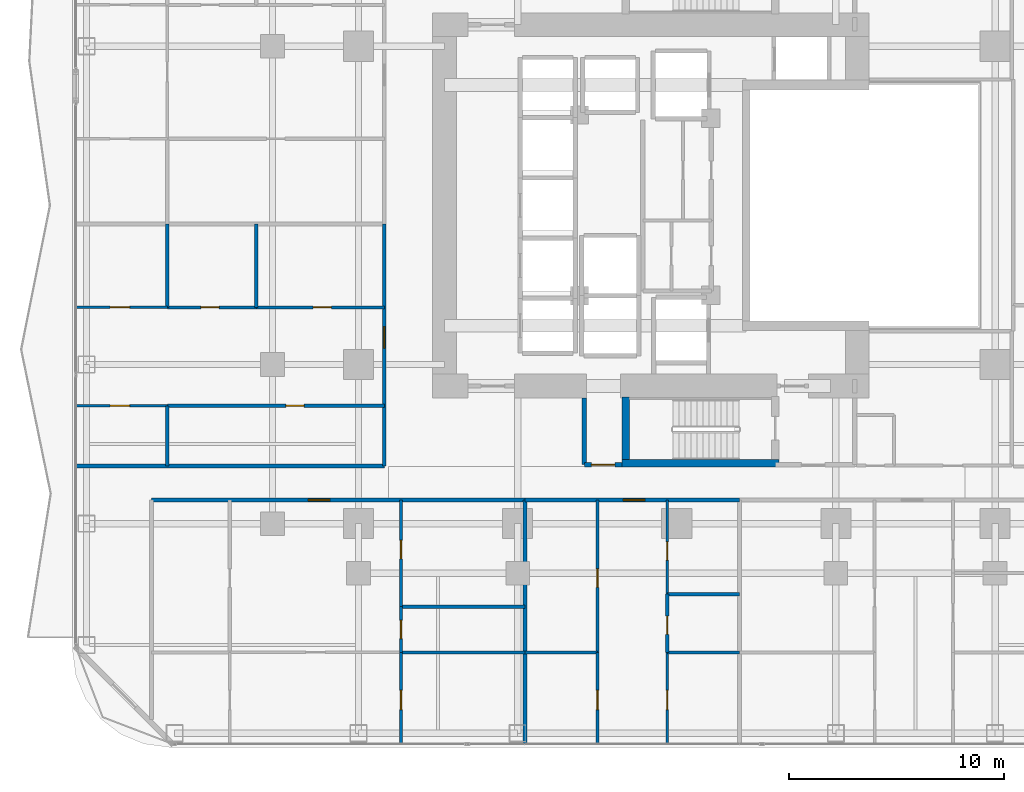
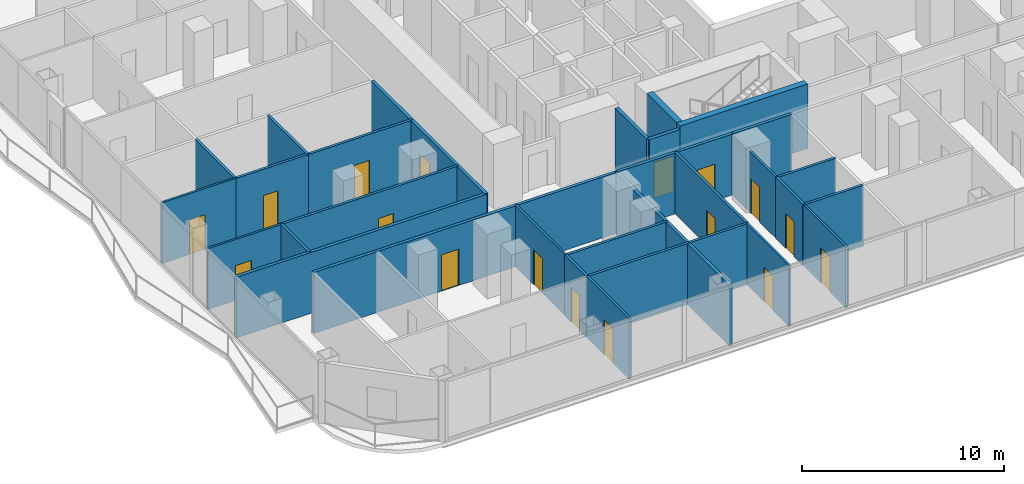
# One storey, part 19 of 29: 30 walls, 17 doors, 17 openings.
"""IFC4 building model written with IfcOpenShell, lengths in metres."""

import ifcopenshell
import ifcopenshell.guid

model = None  # the IFC model being written
_history = None  # IfcOwnerHistory: only IFC2X3 demands one
_inside = {}  # id of a spatial element -> (the spatial element, [elements in it])
_under = {}  # id of a project, library or spatial element -> (it, [spatial elements below it])
_declared = {}  # id of a project -> (the project, [libraries it declares])
_typed = {}  # id of a type object -> (the type object, [elements of that type])
_made_of = {}  # id of a material, layer set ... -> (it, [elements and type objects made of it])


def new_model(schema):
    """Start an empty IFC model of exactly this schema.

    Asked for "IFC4X3", IfcOpenShell would pick the latest addendum, in which some entities
    have other attributes; the version numbers below select the first issue.
    IFC2X3 requires an IfcOwnerHistory on every rooted entity: one is made here for all.
    """
    global model, _history
    if schema == "IFC4X3":
        model = ifcopenshell.file(schema_version=(4, 3, 0, 0))
    else:
        model = ifcopenshell.file(schema=schema)
    _inside.clear()
    _under.clear()
    _declared.clear()
    _typed.clear()
    _made_of.clear()
    _history = None
    if model.schema == "IFC2X3":
        org = make("IfcOrganization", Name="unknown")
        user = make(
            "IfcPersonAndOrganization",
            ThePerson=make("IfcPerson", FamilyName="unknown"),
            TheOrganization=org,
        )
        app = make(
            "IfcApplication",
            ApplicationDeveloper=org,
            Version="unknown",
            ApplicationFullName="unknown",
            ApplicationIdentifier="unknown",
        )
        _history = make(
            "IfcOwnerHistory",
            OwningUser=user,
            OwningApplication=app,
            ChangeAction="ADDED",
            CreationDate=0,
        )
    return model


def make(cls, **values):
    """One entity of the class cls with the attributes given. An attribute that is None is left unset."""
    return model.create_entity(
        cls, **{name: value for name, value in values.items() if value is not None}
    )


def rooted(cls, **values):
    """An entity with a GlobalId (a new one), such as an element, a storey or a relation."""
    return make(cls, GlobalId=ifcopenshell.guid.new(), OwnerHistory=_history, **values)


def si_unit(unit_type, name, prefix=None):
    """IfcSIUnit, for example si_unit("LENGTHUNIT", "METRE", prefix="MILLI")."""
    return make("IfcSIUnit", UnitType=unit_type, Prefix=prefix, Name=name)


def assignment(units):
    """IfcUnitAssignment: the units of a project."""
    return None if units is None else make("IfcUnitAssignment", Units=units)


def point(xyz):
    """IfcCartesianPoint."""
    return None if xyz is None else make("IfcCartesianPoint", Coordinates=xyz)


def direction(xyz):
    """IfcDirection."""
    return None if xyz is None else make("IfcDirection", DirectionRatios=xyz)


def frame(location, z_axis=None, x_axis=None):
    """IfcAxis2Placement3D, a coordinate frame: its origin and axes. An axis left out is left unset."""
    return make(
        "IfcAxis2Placement3D",
        Location=point(location),
        Axis=direction(z_axis),
        RefDirection=direction(x_axis),
    )


def frame_2d(location, x_axis=None):
    """IfcAxis2Placement2D, a coordinate frame in the plane: its origin and x axis."""
    return make(
        "IfcAxis2Placement2D", Location=point(location), RefDirection=direction(x_axis)
    )


def origin():
    """The frame at (0, 0, 0) with its axes left unset."""
    return frame((0.0, 0.0, 0.0))


def place(relative_to, where):
    """IfcLocalPlacement: puts the frame where relative to a parent placement (None: the world)."""
    return make(
        "IfcLocalPlacement", PlacementRelTo=relative_to, RelativePlacement=where
    )


def context(
    kind, dimensions, precision=None, world=None, true_north=None, identifier=None
):
    """IfcGeometricRepresentationContext, for example the 3D "Model" context."""
    return make(
        "IfcGeometricRepresentationContext",
        ContextIdentifier=identifier,
        ContextType=kind,
        CoordinateSpaceDimension=dimensions,
        Precision=precision,
        WorldCoordinateSystem=world,
        TrueNorth=true_north,
    )


def subcontext(parent, identifier, kind, view, scale=None):
    """IfcGeometricRepresentationSubContext, for example "Body" below "Model"."""
    return make(
        "IfcGeometricRepresentationSubContext",
        ContextIdentifier=identifier,
        ContextType=kind,
        ParentContext=parent,
        TargetScale=scale,
        TargetView=view,
    )


def project(units=None, contexts=None):
    """IfcProject with its units and contexts."""
    return rooted(
        "IfcProject",
        Name="project",
        RepresentationContexts=contexts,
        UnitsInContext=assignment(units),
    )


def spatial(cls, under=None, at=None, **own):
    """A site, building, storey or space (cls), placed at a placement, below another one or the project."""
    s = rooted(cls, ObjectPlacement=at, **own)
    if under is not None:
        _under.setdefault(under.id(), (under, []))[1].append(s)
    return s


def profile(cls, at=None, kind="AREA", **sizes):
    """A parametric profile (cls). Its sizes go by their IFC names, for example OverallWidth=200.0."""
    return make(cls, ProfileType=kind, Position=at, **sizes)


def rectangle(**sizes):
    """IfcRectangleProfileDef."""
    return profile("IfcRectangleProfileDef", **sizes)


def extrude(swept, where, along, depth):
    """IfcExtrudedAreaSolid: the profile swept, set in the frame where, extruded along a direction by depth."""
    return make(
        "IfcExtrudedAreaSolid",
        SweptArea=swept,
        Position=where,
        ExtrudedDirection=direction(along),
        Depth=depth,
    )


def shape(context_of_items, identifier, shape_type, items):
    """IfcShapeRepresentation: the items that make up one representation, for example the "Body"."""
    return make(
        "IfcShapeRepresentation",
        ContextOfItems=context_of_items,
        RepresentationIdentifier=identifier,
        RepresentationType=shape_type,
        Items=items,
    )


def material(Name=None, Category=None):
    """IfcMaterial."""
    return make("IfcMaterial", Name=Name, Category=Category)


def layer(
    of_material, thickness, ventilated=None, Name=None, Category=None, Priority=None
):
    """IfcMaterialLayer: one layer of a wall or slab, of a material (None: an air gap)."""
    return make(
        "IfcMaterialLayer",
        Material=of_material,
        LayerThickness=thickness,
        IsVentilated=ventilated,
        Name=Name,
        Category=Category,
        Priority=Priority,
    )


def layer_set(layers, Name=None):
    """IfcMaterialLayerSet."""
    return make("IfcMaterialLayerSet", MaterialLayers=layers, LayerSetName=Name)


def made_of(thing, what):
    """Note that an element or type object is made of a material, layer set ...; save() writes the relation."""
    if what is not None:
        _made_of.setdefault(what.id(), (what, []))[1].append(thing)
    return thing


def type_object(cls, material=None, **own):
    """A type object (cls), such as IfcWallType, which elements share."""
    return made_of(rooted(cls, **own), material)


def element(
    cls,
    number,
    at=None,
    inside=None,
    cuts=None,
    type_object=None,
    material=None,
    context=None,
    identifier="Body",
    shape_type=None,
    held_by="IfcProductDefinitionShape",
    body=None,
    shapes=None,
    **own,
):
    """One element of the class cls, such as IfcWall. Its Tag is "e" and its number.

    at: its placement. inside: the storey or other place that contains it. cuts: it is an
    opening in that element (IfcRelVoidsElement). A single representation is given by context,
    identifier, shape_type and body (its items); several are given by shapes. held_by: the class
    of the entity that holds the representations. save() writes the other relations.
    """
    e = rooted(cls, Tag="e%d" % number, ObjectPlacement=at, **own)
    if body is not None:
        shapes = [shape(context, identifier, shape_type, body)]
    if shapes is not None:
        e.Representation = make(held_by, Representations=shapes)
    if inside is not None:
        _inside.setdefault(inside.id(), (inside, []))[1].append(e)
    if cuts is not None:
        rooted(
            "IfcRelVoidsElement", RelatingBuildingElement=cuts, RelatedOpeningElement=e
        )
    if type_object is not None:
        _typed.setdefault(type_object.id(), (type_object, []))[1].append(e)
    return made_of(e, material)


def fill(opening, filler):
    """IfcRelFillsElement: the door or window that sits in an opening."""
    return rooted(
        "IfcRelFillsElement",
        RelatingOpeningElement=opening,
        RelatedBuildingElement=filler,
    )


def aggregate(whole, parts):
    """IfcRelAggregates: a whole, such as a stair, and the parts it consists of."""
    return rooted("IfcRelAggregates", RelatingObject=whole, RelatedObjects=parts)


def save(model, path):
    """Write the relations noted so far, then the file.

    IfcRelAggregates (storeys below a building ...), IfcRelContainedInSpatialStructure (elements
    in a storey), IfcRelDefinesByType, IfcRelAssociatesMaterial and IfcRelDeclares: one each for
    every whole, place, type object, material and project.
    """
    for whole, parts in _under.values():
        aggregate(whole, parts)
    for where, things in _inside.values():
        rooted(
            "IfcRelContainedInSpatialStructure",
            RelatedElements=things,
            RelatingStructure=where,
        )
    for kind, things in _typed.values():
        rooted("IfcRelDefinesByType", RelatedObjects=things, RelatingType=kind)
    for what, things in _made_of.values():
        rooted("IfcRelAssociatesMaterial", RelatedObjects=things, RelatingMaterial=what)
    for by, libraries in _declared.values():
        rooted("IfcRelDeclares", RelatingContext=by, RelatedDefinitions=libraries)
    model.write(path)


model = new_model("IFC4")

# Units and contexts
model_context = context("Model", 3, precision=1e-05, world=origin(), true_north=direction((0.0, 1.0)))
body_context = subcontext(model_context, "Body", "Model", "MODEL_VIEW")
ifc_project = project(units=[si_unit("LENGTHUNIT", "METRE"), si_unit("AREAUNIT", "SQUARE_METRE"), si_unit("VOLUMEUNIT", "CUBIC_METRE"), si_unit("PLANEANGLEUNIT", "RADIAN"), si_unit("MASSUNIT", "GRAM", prefix="KILO")], contexts=[model_context])

# Site, building, storey
site_placement = place(None, origin())
site = spatial("IfcSite", under=ifc_project, at=site_placement, CompositionType="ELEMENT")
building_placement = place(site_placement, origin())
building = spatial("IfcBuilding", under=site, at=building_placement, Name="Khorvyn Point Tower", CompositionType="ELEMENT")
storey_placement = place(building_placement, frame((0.0, 0.0, 69.60009765625)))
storey = spatial("IfcBuildingStorey", under=building, at=storey_placement, Name="L18", CompositionType="ELEMENT", Elevation=69.60009765625)

# Wall, opening, door
ifc_material_1 = material(Name="Double acoustic gypsum on twin steel stud", Category="steel")
ifc_layer_1 = layer(ifc_material_1, 0.179931640625)
ifc_layer_set_1 = layer_set([ifc_layer_1], Name="Acoustic Double-Stud Apartment Demising Wall 180")
wall_type_1 = type_object("IfcWallType", Name="Acoustic Double-Stud Apartment Demising Wall 180", PredefinedType="PARTITIONING", material=ifc_layer_set_1)
wall_1_placement = place(storey_placement, frame((-24.419921875, -13.699951171875, 0.0), z_axis=(0.0, 0.0, 1.0), x_axis=(1.0, 0.0, 0.0)))
wall_1 = element("IfcWall", 1, at=wall_1_placement, inside=storey, type_object=wall_type_1, Name="Wall", PredefinedType="PARTITIONING", context=body_context, shape_type="SweptSolid", body=[
    extrude(rectangle(XDim=17.35888671875, YDim=0.179931640625, at=frame_2d((8.679443359375, 0.0))), origin(), (0.0, 0.0, 1.0), 3.679931640625),
])
opening_1_placement = place(wall_1_placement, frame((7.288330078125, 0.0, 0.0)))
opening_1 = element("IfcOpeningElement", 2, at=opening_1_placement, cuts=wall_1, Name="Opening ID-AP60", PredefinedType="OPENING", context=body_context, shape_type="SweptSolid", body=[
    extrude(rectangle(XDim=1.0, YDim=2.199951171875, at=frame_2d((0.5, 1.10009765625))), frame((0.0, 0.099853515625, 0.0), z_axis=(0.0, -1.0, 0.0), x_axis=(1.0, 0.0, 0.0)), (0.0, 0.0, 1.0), 0.199951171875),
])
ifc_material_2 = material(Name="Engineered hardwood fire-rated leaf", Category="wood")
door_type_1 = type_object("IfcDoorType", Name="Acoustic Solid-Core Timber Apartment Entrance Door 1000x2200", OperationType="NOTDEFINED", PredefinedType="DOOR", material=ifc_material_2)
door_1_placement = place(opening_1_placement, origin())
door_1 = element("IfcDoor", 3, at=door_1_placement, inside=storey, type_object=door_type_1, Name="Door", OperationType="SINGLE_SWING_LEFT", OverallHeight=2.199951171875, OverallWidth=1.0, PredefinedType="DOOR", context=body_context, shape_type="SweptSolid", body=[
    extrude(rectangle(XDim=1.0, YDim=2.199951171875, at=frame_2d((0.5, 1.10009765625))), frame((0.0, 0.02490234375, 0.0), z_axis=(0.0, -1.0, 0.0), x_axis=(1.0, 0.0, 0.0)), (0.0, 0.0, 1.0), 0.050048828125),
])
fill(opening_1, door_1)

wall_2_placement = place(storey_placement, frame((-7.06103515625, -13.699951171875, 0.0), z_axis=(0.0, 0.0, 1.0), x_axis=(1.0, 0.0, 0.0)))
wall_2 = element("IfcWall", 4, at=wall_2_placement, inside=storey, type_object=wall_type_1, Name="Wall", PredefinedType="PARTITIONING", context=body_context, shape_type="SweptSolid", body=[
    extrude(rectangle(XDim=9.97900390625, YDim=0.179931640625, at=frame_2d((4.989501953125, 0.0))), origin(), (0.0, 0.0, 1.0), 3.679931640625),
])
opening_2_placement = place(wall_2_placement, frame((4.577880859375, 0.0, 0.0)))
opening_2 = element("IfcOpeningElement", 5, at=opening_2_placement, cuts=wall_2, Name="Opening ID-AP60", PredefinedType="OPENING", context=body_context, shape_type="SweptSolid", body=[
    extrude(rectangle(XDim=1.0, YDim=2.199951171875, at=frame_2d((0.5, 1.10009765625))), frame((0.0, 0.099853515625, 0.0), z_axis=(0.0, -1.0, 0.0), x_axis=(1.0, 0.0, 0.0)), (0.0, 0.0, 1.0), 0.199951171875),
])
door_2_placement = place(opening_2_placement, origin())
door_2 = element("IfcDoor", 6, at=door_2_placement, inside=storey, type_object=door_type_1, Name="Door", OperationType="SINGLE_SWING_RIGHT", OverallHeight=2.199951171875, OverallWidth=1.0, PredefinedType="DOOR", context=body_context, shape_type="SweptSolid", body=[
    extrude(rectangle(XDim=1.0, YDim=2.199951171875, at=frame_2d((0.5, 1.10009765625))), frame((0.0, 0.02490234375, 0.0), z_axis=(0.0, -1.0, 0.0), x_axis=(1.0, 0.0, 0.0)), (0.0, 0.0, 1.0), 0.050048828125),
])
fill(opening_2, door_2)

wall_3_placement = place(storey_placement, frame((-13.60009765625, -12.1201171875, 0.0), z_axis=(0.0, 0.0, 1.0), x_axis=(0.0, 1.0, 0.0)))
wall_3 = element("IfcWall", 7, at=wall_3_placement, inside=storey, type_object=wall_type_1, Name="Wall", PredefinedType="PARTITIONING", context=body_context, shape_type="SweptSolid", body=[
    extrude(rectangle(XDim=11.2470703125, YDim=0.179931640625, at=frame_2d((5.62353515625, 0.0))), origin(), (0.0, 0.0, 1.0), 3.679931640625),
])
opening_3_placement = place(wall_3_placement, frame((5.47802734375, 0.0, 0.0)))
opening_3 = element("IfcOpeningElement", 8, at=opening_3_placement, cuts=wall_3, Name="Opening ID-AP60", PredefinedType="OPENING", context=body_context, shape_type="SweptSolid", body=[
    extrude(rectangle(XDim=1.0, YDim=2.199951171875, at=frame_2d((0.5, 1.10009765625))), frame((0.0, 0.099853515625, 0.0), z_axis=(0.0, -1.0, 0.0), x_axis=(1.0, 0.0, 0.0)), (0.0, 0.0, 1.0), 0.199951171875),
])
door_3_placement = place(opening_3_placement, origin())
door_3 = element("IfcDoor", 9, at=door_3_placement, inside=storey, type_object=door_type_1, Name="Door", OperationType="SINGLE_SWING_RIGHT", OverallHeight=2.199951171875, OverallWidth=1.0, PredefinedType="DOOR", context=body_context, shape_type="SweptSolid", body=[
    extrude(rectangle(XDim=1.0, YDim=2.199951171875, at=frame_2d((0.5, 1.10009765625))), frame((0.0, 0.02490234375, 0.0), z_axis=(0.0, -1.0, 0.0), x_axis=(1.0, 0.0, 0.0)), (0.0, 0.0, 1.0), 0.050048828125),
])
fill(opening_3, door_3)

# Walls
wall_4_placement = place(storey_placement, frame((-7.06103515625, -25.030029296875, 0.0), z_axis=(0.0, 0.0, 1.0), x_axis=(0.0, 1.0, 0.0)))
element("IfcWall", 10, at=wall_4_placement, inside=storey, type_object=wall_type_1, Name="Wall", PredefinedType="PARTITIONING", context=body_context, shape_type="SweptSolid", body=[
    extrude(rectangle(XDim=11.330078125, YDim=0.179931640625, at=frame_2d((5.6650390625, 0.0))), origin(), (0.0, 0.0, 1.0), 3.679931640625),
])
wall_5_placement = place(storey_placement, frame((-27.929931640625, -12.1201171875, 0.0), z_axis=(0.0, 0.0, 1.0), x_axis=(1.0, 0.0, 0.0)))
element("IfcWall", 11, at=wall_5_placement, inside=storey, type_object=wall_type_1, Name="Wall", PredefinedType="PARTITIONING", context=body_context, shape_type="SweptSolid", body=[
    extrude(rectangle(XDim=14.329833984375, YDim=0.179931640625, at=frame_2d((7.1650390625, 0.0))), origin(), (0.0, 0.0, 1.0), 3.679931640625),
])

# Wall, opening, door
ifc_material_3 = material(Name="Concrete C40/50", Category="concrete")
ifc_layer_2 = layer(ifc_material_3, 0.199951171875)
ifc_layer_set_2 = layer_set([ifc_layer_2], Name="Concrete C40/50 Fire-Lobby Compartment Wall 200")
wall_type_2 = type_object("IfcWallType", Name="Concrete C40/50 Fire-Lobby Compartment Wall 200", PredefinedType="SOLIDWALL", material=ifc_layer_set_2)
wall_6_placement = place(storey_placement, frame((-4.300048828125, -12.06005859375, 0.0), z_axis=(0.0, 0.0, 1.0), x_axis=(1.0, 0.0, 0.0)))
wall_6 = element("IfcWall", 12, at=wall_6_placement, inside=storey, type_object=wall_type_2, Name="Wall", PredefinedType="SOLIDWALL", context=body_context, shape_type="SweptSolid", body=[
    extrude(rectangle(XDim=1.75, YDim=0.199951171875, at=frame_2d((0.875, 0.0))), origin(), (0.0, 0.0, 1.0), 3.679931640625),
])
opening_4_placement = place(wall_6_placement, frame((0.324951171875, 0.0, 0.0)))
opening_4 = element("IfcOpeningElement", 13, at=opening_4_placement, cuts=wall_6, Name="Opening ID-FL90", PredefinedType="OPENING", context=body_context, shape_type="SweptSolid", body=[
    extrude(rectangle(XDim=1.10009765625, YDim=2.14990234375, at=frame_2d((0.550048828125, 1.074951171875))), frame((0.0, 0.10986328125, 0.0), z_axis=(0.0, -1.0, 0.0), x_axis=(1.0, 0.0, 0.0)), (0.0, 0.0, 1.0), 0.219970703125),
])
ifc_material_4 = material(Name="Galvanised powder-coated steel", Category="steel")
door_type_2 = type_object("IfcDoorType", Name="Fire-Rated Steel Lobby and Stair Door 1100x2150", OperationType="NOTDEFINED", PredefinedType="DOOR", material=ifc_material_4)
door_4_placement = place(opening_4_placement, origin())
door_4 = element("IfcDoor", 14, at=door_4_placement, inside=storey, type_object=door_type_2, Name="Door", OperationType="SINGLE_SWING_RIGHT", OverallHeight=2.14990234375, OverallWidth=1.10009765625, PredefinedType="DOOR", context=body_context, shape_type="SweptSolid", body=[
    extrude(rectangle(XDim=1.10009765625, YDim=2.14990234375, at=frame_2d((0.550048828125, 1.074951171875))), frame((0.0, 0.02490234375, 0.0), z_axis=(0.0, -1.0, 0.0), x_axis=(1.0, 0.0, 0.0)), (0.0, 0.0, 1.0), 0.050048828125),
])
fill(opening_4, door_4)

# Walls
wall_7_placement = place(storey_placement, frame((-4.300048828125, -12.06005859375, 0.0), z_axis=(0.0, 0.0, 1.0), x_axis=(0.0, 1.0, 0.0)))
element("IfcWall", 15, at=wall_7_placement, inside=storey, type_object=wall_type_2, Name="Wall", PredefinedType="SOLIDWALL", context=body_context, shape_type="SweptSolid", body=[
    extrude(rectangle(XDim=3.110107421875, YDim=0.199951171875, at=frame_2d((1.55517578125, 0.0))), origin(), (0.0, 0.0, 1.0), 3.679931640625),
])
ifc_layer_3 = layer(ifc_material_3, 0.35009765625)
ifc_layer_set_3 = layer_set([ifc_layer_3], Name="Concrete C40/50 Stair Shaft Structural Wall 350")
wall_type_3 = type_object("IfcWallType", Name="Concrete C40/50 Stair Shaft Structural Wall 350", PredefinedType="SHEAR", material=ifc_layer_set_3)
wall_8_placement = place(storey_placement, frame((-2.554931640625, -12.0, 0.0), z_axis=(0.0, 0.0, 1.0), x_axis=(1.0, 0.0, 0.0)))
element("IfcWall", 16, at=wall_8_placement, inside=storey, type_object=wall_type_3, Name="L18 ST-01 South Shaft Wall", PredefinedType="SHEAR", context=body_context, shape_type="SweptSolid", body=[
    extrude(rectangle(XDim=7.309814453125, YDim=0.35009765625, at=frame_2d((3.65478515625, 0.0))), origin(), (0.0, 0.0, 1.0), 3.89990234375),
])
wall_9_placement = place(storey_placement, frame((-2.3798828125, -11.824951171875, 0.0), z_axis=(0.0, 0.0, 1.0), x_axis=(0.0, 1.0, 0.0)))
element("IfcWall", 17, at=wall_9_placement, inside=storey, type_object=wall_type_3, Name="L18 ST-01 West Shaft Wall", PredefinedType="SHEAR", context=body_context, shape_type="SweptSolid", body=[
    extrude(rectangle(XDim=2.925048828125, YDim=0.35009765625, at=frame_2d((1.46240234375, 0.0))), origin(), (0.0, 0.0, 1.0), 3.89990234375),
])

# Wall, opening, door
ifc_material_5 = material(Name="Gypsum plasterboard on steel stud", Category="steel")
ifc_layer_4 = layer(ifc_material_5, 0.1201171875)
ifc_layer_set_4 = layer_set([ifc_layer_4], Name="Gypsum Acoustic Stud Room Partition Wall 120")
wall_type_4 = type_object("IfcWallType", Name="Gypsum Acoustic Stud Room Partition Wall 120", PredefinedType="PARTITIONING", material=ifc_layer_set_4)
wall_10_placement = place(storey_placement, frame((-12.823974609375, -18.6630859375, 0.0), z_axis=(0.0, 0.0, 1.0), x_axis=(0.0, 1.0, 0.0)))
wall_10 = element("IfcWall", 18, at=wall_10_placement, inside=storey, type_object=wall_type_4, Name="Wall", PredefinedType="PARTITIONING", context=body_context, shape_type="SweptSolid", body=[
    extrude(rectangle(XDim=4.963134765625, YDim=0.1201171875, at=frame_2d((2.4814453125, 0.0))), origin(), (0.0, 0.0, 1.0), 3.679931640625),
])
opening_5_placement = place(wall_10_placement, frame((2.22900390625, 0.0, 0.0)))
opening_5 = element("IfcOpeningElement", 19, at=opening_5_placement, cuts=wall_10, Name="Opening ID-WC85", PredefinedType="OPENING", context=body_context, shape_type="SweptSolid", body=[
    extrude(rectangle(XDim=0.85009765625, YDim=2.10009765625, at=frame_2d((0.425048828125, 1.050048828125))), frame((0.0, 0.070068359375, 0.0), z_axis=(0.0, -1.0, 0.0), x_axis=(1.0, 0.0, 0.0)), (0.0, 0.0, 1.0), 0.14013671875),
])
ifc_material_6 = material(Name="High-pressure laminate on moisture-resistant core", Category="wood")
door_type_3 = type_object("IfcDoorType", Name="Moisture-Resistant Accessible Washroom Door 850x2100", OperationType="NOTDEFINED", PredefinedType="DOOR", material=ifc_material_6)
door_5_placement = place(opening_5_placement, origin())
door_5 = element("IfcDoor", 20, at=door_5_placement, inside=storey, type_object=door_type_3, Name="Door", OperationType="SINGLE_SWING_RIGHT", OverallHeight=2.10009765625, OverallWidth=0.85009765625, PredefinedType="DOOR", context=body_context, shape_type="SweptSolid", body=[
    extrude(rectangle(XDim=0.85009765625, YDim=2.10009765625, at=frame_2d((0.425048828125, 1.050048828125))), frame((0.0, 0.02490234375, 0.0), z_axis=(0.0, -1.0, 0.0), x_axis=(1.0, 0.0, 0.0)), (0.0, 0.0, 1.0), 0.050048828125),
])
fill(opening_5, door_5)

wall_11_placement = place(storey_placement, frame((-12.823974609375, -25.030029296875, 0.0), z_axis=(0.0, 0.0, 1.0), x_axis=(0.0, 1.0, 0.0)))
wall_11 = element("IfcWall", 21, at=wall_11_placement, inside=storey, type_object=wall_type_4, Name="Wall", PredefinedType="PARTITIONING", context=body_context, shape_type="SweptSolid", body=[
    extrude(rectangle(XDim=4.239990234375, YDim=0.1201171875, at=frame_2d((2.1201171875, 0.0))), origin(), (0.0, 0.0, 1.0), 3.679931640625),
])
opening_6_placement = place(wall_11_placement, frame((1.581298828125, 0.0, 0.0)))
opening_6 = element("IfcOpeningElement", 22, at=opening_6_placement, cuts=wall_11, Name="Opening ID-RM90", PredefinedType="OPENING", context=body_context, shape_type="SweptSolid", body=[
    extrude(rectangle(XDim=0.89990234375, YDim=2.10009765625, at=frame_2d((0.449951171875, 1.050048828125))), frame((0.0, 0.070068359375, 0.0), z_axis=(0.0, -1.0, 0.0), x_axis=(1.0, 0.0, 0.0)), (0.0, 0.0, 1.0), 0.14013671875),
])
ifc_material_7 = material(Name="Engineered oak veneer timber", Category="wood")
door_type_4 = type_object("IfcDoorType", Name="Flush Engineered Timber Room Door 900x2100", OperationType="NOTDEFINED", PredefinedType="DOOR", material=ifc_material_7)
door_6_placement = place(opening_6_placement, origin())
door_6 = element("IfcDoor", 23, at=door_6_placement, inside=storey, type_object=door_type_4, Name="Door", OperationType="SINGLE_SWING_LEFT", OverallHeight=2.10009765625, OverallWidth=0.89990234375, PredefinedType="DOOR", context=body_context, shape_type="SweptSolid", body=[
    extrude(rectangle(XDim=0.89990234375, YDim=2.10009765625, at=frame_2d((0.449951171875, 1.050048828125))), frame((0.0, 0.02490234375, 0.0), z_axis=(0.0, -1.0, 0.0), x_axis=(1.0, 0.0, 0.0)), (0.0, 0.0, 1.0), 0.050048828125),
])
fill(opening_6, door_6)

wall_12_placement = place(storey_placement, frame((-3.68798828125, -25.030029296875, 0.0), z_axis=(0.0, 0.0, 1.0), x_axis=(0.0, 1.0, 0.0)))
wall_12 = element("IfcWall", 24, at=wall_12_placement, inside=storey, type_object=wall_type_4, Name="Wall", PredefinedType="PARTITIONING", context=body_context, shape_type="SweptSolid", body=[
    extrude(rectangle(XDim=4.239990234375, YDim=0.1201171875, at=frame_2d((2.1201171875, 0.0))), origin(), (0.0, 0.0, 1.0), 3.679931640625),
])
opening_7_placement = place(wall_12_placement, frame((1.581298828125, 0.0, 0.0)))
opening_7 = element("IfcOpeningElement", 25, at=opening_7_placement, cuts=wall_12, Name="Opening ID-RM90", PredefinedType="OPENING", context=body_context, shape_type="SweptSolid", body=[
    extrude(rectangle(XDim=0.89990234375, YDim=2.10009765625, at=frame_2d((0.449951171875, 1.050048828125))), frame((0.0, 0.070068359375, 0.0), z_axis=(0.0, -1.0, 0.0), x_axis=(1.0, 0.0, 0.0)), (0.0, 0.0, 1.0), 0.14013671875),
])
door_7_placement = place(opening_7_placement, origin())
door_7 = element("IfcDoor", 26, at=door_7_placement, inside=storey, type_object=door_type_4, Name="Door", OperationType="SINGLE_SWING_RIGHT", OverallHeight=2.10009765625, OverallWidth=0.89990234375, PredefinedType="DOOR", context=body_context, shape_type="SweptSolid", body=[
    extrude(rectangle(XDim=0.89990234375, YDim=2.10009765625, at=frame_2d((0.449951171875, 1.050048828125))), frame((0.0, 0.02490234375, 0.0), z_axis=(0.0, -1.0, 0.0), x_axis=(1.0, 0.0, 0.0)), (0.0, 0.0, 1.0), 0.050048828125),
])
fill(opening_7, door_7)

wall_13_placement = place(storey_placement, frame((-0.43798828125, -18.08203125, 0.0), z_axis=(0.0, 0.0, 1.0), x_axis=(0.0, 1.0, 0.0)))
wall_13 = element("IfcWall", 27, at=wall_13_placement, inside=storey, type_object=wall_type_4, Name="Wall", PredefinedType="PARTITIONING", context=body_context, shape_type="SweptSolid", body=[
    extrude(rectangle(XDim=4.382080078125, YDim=0.1201171875, at=frame_2d((2.19091796875, 0.0))), origin(), (0.0, 0.0, 1.0), 3.679931640625),
])
opening_8_placement = place(wall_13_placement, frame((1.587646484375, 0.0, 0.0)))
opening_8 = element("IfcOpeningElement", 28, at=opening_8_placement, cuts=wall_13, Name="Opening ID-WC85", PredefinedType="OPENING", context=body_context, shape_type="SweptSolid", body=[
    extrude(rectangle(XDim=0.85009765625, YDim=2.10009765625, at=frame_2d((0.425048828125, 1.050048828125))), frame((0.0, 0.070068359375, 0.0), z_axis=(0.0, -1.0, 0.0), x_axis=(1.0, 0.0, 0.0)), (0.0, 0.0, 1.0), 0.14013671875),
])
door_8_placement = place(opening_8_placement, origin())
door_8 = element("IfcDoor", 29, at=door_8_placement, inside=storey, type_object=door_type_3, Name="Door", OperationType="SINGLE_SWING_RIGHT", OverallHeight=2.10009765625, OverallWidth=0.85009765625, PredefinedType="DOOR", context=body_context, shape_type="SweptSolid", body=[
    extrude(rectangle(XDim=0.85009765625, YDim=2.10009765625, at=frame_2d((0.425048828125, 1.050048828125))), frame((0.0, 0.02490234375, 0.0), z_axis=(0.0, -1.0, 0.0), x_axis=(1.0, 0.0, 0.0)), (0.0, 0.0, 1.0), 0.050048828125),
])
fill(opening_8, door_8)

wall_14_placement = place(storey_placement, frame((-0.43798828125, -25.030029296875, 0.0), z_axis=(0.0, 0.0, 1.0), x_axis=(0.0, 1.0, 0.0)))
wall_14 = element("IfcWall", 30, at=wall_14_placement, inside=storey, type_object=wall_type_4, Name="Wall", PredefinedType="PARTITIONING", context=body_context, shape_type="SweptSolid", body=[
    extrude(rectangle(XDim=4.239990234375, YDim=0.1201171875, at=frame_2d((2.1201171875, 0.0))), origin(), (0.0, 0.0, 1.0), 3.679931640625),
])
opening_9_placement = place(wall_14_placement, frame((1.581298828125, 0.0, 0.0)))
opening_9 = element("IfcOpeningElement", 31, at=opening_9_placement, cuts=wall_14, Name="Opening ID-RM90", PredefinedType="OPENING", context=body_context, shape_type="SweptSolid", body=[
    extrude(rectangle(XDim=0.89990234375, YDim=2.10009765625, at=frame_2d((0.449951171875, 1.050048828125))), frame((0.0, 0.070068359375, 0.0), z_axis=(0.0, -1.0, 0.0), x_axis=(1.0, 0.0, 0.0)), (0.0, 0.0, 1.0), 0.14013671875),
])
door_9_placement = place(opening_9_placement, origin())
door_9 = element("IfcDoor", 32, at=door_9_placement, inside=storey, type_object=door_type_4, Name="Door", OperationType="SINGLE_SWING_LEFT", OverallHeight=2.10009765625, OverallWidth=0.89990234375, PredefinedType="DOOR", context=body_context, shape_type="SweptSolid", body=[
    extrude(rectangle(XDim=0.89990234375, YDim=2.10009765625, at=frame_2d((0.449951171875, 1.050048828125))), frame((0.0, 0.02490234375, 0.0), z_axis=(0.0, -1.0, 0.0), x_axis=(1.0, 0.0, 0.0)), (0.0, 0.0, 1.0), 0.050048828125),
])
fill(opening_9, door_9)

wall_15_placement = place(storey_placement, frame((-27.929931640625, -9.320068359375, 0.0), z_axis=(0.0, 0.0, 1.0), x_axis=(1.0, 0.0, 0.0)))
wall_15 = element("IfcWall", 33, at=wall_15_placement, inside=storey, type_object=wall_type_4, Name="Wall", PredefinedType="PARTITIONING", context=body_context, shape_type="SweptSolid", body=[
    extrude(rectangle(XDim=4.239990234375, YDim=0.1201171875, at=frame_2d((2.1201171875, 0.0))), origin(), (0.0, 0.0, 1.0), 3.679931640625),
])
opening_10_placement = place(wall_15_placement, frame((1.581298828125, 0.0, 0.0)))
opening_10 = element("IfcOpeningElement", 34, at=opening_10_placement, cuts=wall_15, Name="Opening ID-RM90", PredefinedType="OPENING", context=body_context, shape_type="SweptSolid", body=[
    extrude(rectangle(XDim=0.89990234375, YDim=2.10009765625, at=frame_2d((0.449951171875, 1.050048828125))), frame((0.0, 0.070068359375, 0.0), z_axis=(0.0, -1.0, 0.0), x_axis=(1.0, 0.0, 0.0)), (0.0, 0.0, 1.0), 0.14013671875),
])
door_10_placement = place(opening_10_placement, origin())
door_10 = element("IfcDoor", 35, at=door_10_placement, inside=storey, type_object=door_type_4, Name="Door", OperationType="SINGLE_SWING_RIGHT", OverallHeight=2.10009765625, OverallWidth=0.89990234375, PredefinedType="DOOR", context=body_context, shape_type="SweptSolid", body=[
    extrude(rectangle(XDim=0.89990234375, YDim=2.10009765625, at=frame_2d((0.449951171875, 1.050048828125))), frame((0.0, 0.02490234375, 0.0), z_axis=(0.0, -1.0, 0.0), x_axis=(1.0, 0.0, 0.0)), (0.0, 0.0, 1.0), 0.050048828125),
])
fill(opening_10, door_10)

wall_16_placement = place(storey_placement, frame((-27.929931640625, -4.7470703125, 0.0), z_axis=(0.0, 0.0, 1.0), x_axis=(1.0, 0.0, 0.0)))
wall_16 = element("IfcWall", 36, at=wall_16_placement, inside=storey, type_object=wall_type_4, Name="Wall", PredefinedType="PARTITIONING", context=body_context, shape_type="SweptSolid", body=[
    extrude(rectangle(XDim=4.239990234375, YDim=0.1201171875, at=frame_2d((2.1201171875, 0.0))), origin(), (0.0, 0.0, 1.0), 3.679931640625),
])
opening_11_placement = place(wall_16_placement, frame((1.581298828125, 0.0, 0.0)))
opening_11 = element("IfcOpeningElement", 37, at=opening_11_placement, cuts=wall_16, Name="Opening ID-RM90", PredefinedType="OPENING", context=body_context, shape_type="SweptSolid", body=[
    extrude(rectangle(XDim=0.89990234375, YDim=2.10009765625, at=frame_2d((0.449951171875, 1.050048828125))), frame((0.0, 0.070068359375, 0.0), z_axis=(0.0, -1.0, 0.0), x_axis=(1.0, 0.0, 0.0)), (0.0, 0.0, 1.0), 0.14013671875),
])
door_11_placement = place(opening_11_placement, origin())
door_11 = element("IfcDoor", 38, at=door_11_placement, inside=storey, type_object=door_type_4, Name="Door", OperationType="SINGLE_SWING_LEFT", OverallHeight=2.10009765625, OverallWidth=0.89990234375, PredefinedType="DOOR", context=body_context, shape_type="SweptSolid", body=[
    extrude(rectangle(XDim=0.89990234375, YDim=2.10009765625, at=frame_2d((0.449951171875, 1.050048828125))), frame((0.0, 0.02490234375, 0.0), z_axis=(0.0, -1.0, 0.0), x_axis=(1.0, 0.0, 0.0)), (0.0, 0.0, 1.0), 0.050048828125),
])
fill(opening_11, door_11)

ifc_material_8 = material(Name="Moisture-resistant gypsum and cement board", Category="gypsum")
ifc_layer_5 = layer(ifc_material_8, 0.14990234375)
ifc_layer_set_5 = layer_set([ifc_layer_5], Name="Moisture-Resistant Wet-Room Partition Wall 150")
wall_type_5 = type_object("IfcWallType", Name="Moisture-Resistant Wet-Room Partition Wall 150", PredefinedType="PARTITIONING", material=ifc_layer_set_5)
wall_17_placement = place(storey_placement, frame((-12.823974609375, -20.7900390625, 0.0), z_axis=(0.0, 0.0, 1.0), x_axis=(0.0, 1.0, 0.0)))
wall_17 = element("IfcWall", 39, at=wall_17_placement, inside=storey, type_object=wall_type_5, Name="Wall", PredefinedType="PARTITIONING", context=body_context, shape_type="SweptSolid", body=[
    extrude(rectangle(XDim=2.126953125, YDim=0.14990234375, at=frame_2d((1.0634765625, 0.0))), origin(), (0.0, 0.0, 1.0), 3.679931640625),
])
opening_12_placement = place(wall_17_placement, frame((0.638427734375, 0.0, 0.0)))
opening_12 = element("IfcOpeningElement", 40, at=opening_12_placement, cuts=wall_17, Name="Opening ID-WC85", PredefinedType="OPENING", context=body_context, shape_type="SweptSolid", body=[
    extrude(rectangle(XDim=0.85009765625, YDim=2.10009765625, at=frame_2d((0.425048828125, 1.050048828125))), frame((0.0, 0.0849609375, 0.0), z_axis=(0.0, -1.0, 0.0), x_axis=(1.0, 0.0, 0.0)), (0.0, 0.0, 1.0), 0.169921875),
])
door_12_placement = place(opening_12_placement, origin())
door_12 = element("IfcDoor", 41, at=door_12_placement, inside=storey, type_object=door_type_3, Name="Door", OperationType="SINGLE_SWING_LEFT", OverallHeight=2.10009765625, OverallWidth=0.85009765625, PredefinedType="DOOR", context=body_context, shape_type="SweptSolid", body=[
    extrude(rectangle(XDim=0.85009765625, YDim=2.10009765625, at=frame_2d((0.425048828125, 1.050048828125))), frame((0.0, 0.02490234375, 0.0), z_axis=(0.0, -1.0, 0.0), x_axis=(1.0, 0.0, 0.0)), (0.0, 0.0, 1.0), 0.050048828125),
])
fill(opening_12, door_12)

wall_18_placement = place(storey_placement, frame((-3.68798828125, -20.7900390625, 0.0), z_axis=(0.0, 0.0, 1.0), x_axis=(0.0, 1.0, 0.0)))
wall_18 = element("IfcWall", 42, at=wall_18_placement, inside=storey, type_object=wall_type_5, Name="Wall", PredefinedType="PARTITIONING", context=body_context, shape_type="SweptSolid", body=[
    extrude(rectangle(XDim=7.090087890625, YDim=0.14990234375, at=frame_2d((3.544921875, 0.0))), origin(), (0.0, 0.0, 1.0), 3.679931640625),
])
opening_13_placement = place(wall_18_placement, frame((3.0302734375, 0.0, 0.0)))
opening_13 = element("IfcOpeningElement", 43, at=opening_13_placement, cuts=wall_18, Name="Opening ID-WC85", PredefinedType="OPENING", context=body_context, shape_type="SweptSolid", body=[
    extrude(rectangle(XDim=0.85009765625, YDim=2.10009765625, at=frame_2d((0.425048828125, 1.050048828125))), frame((0.0, 0.0849609375, 0.0), z_axis=(0.0, -1.0, 0.0), x_axis=(1.0, 0.0, 0.0)), (0.0, 0.0, 1.0), 0.169921875),
])
door_13_placement = place(opening_13_placement, origin())
door_13 = element("IfcDoor", 44, at=door_13_placement, inside=storey, type_object=door_type_3, Name="Door", OperationType="SINGLE_SWING_LEFT", OverallHeight=2.10009765625, OverallWidth=0.85009765625, PredefinedType="DOOR", context=body_context, shape_type="SweptSolid", body=[
    extrude(rectangle(XDim=0.85009765625, YDim=2.10009765625, at=frame_2d((0.425048828125, 1.050048828125))), frame((0.0, 0.02490234375, 0.0), z_axis=(0.0, -1.0, 0.0), x_axis=(1.0, 0.0, 0.0)), (0.0, 0.0, 1.0), 0.050048828125),
])
fill(opening_13, door_13)

wall_19_placement = place(storey_placement, frame((-0.43798828125, -20.7900390625, 0.0), z_axis=(0.0, 0.0, 1.0), x_axis=(0.0, 1.0, 0.0)))
wall_19 = element("IfcWall", 45, at=wall_19_placement, inside=storey, type_object=wall_type_5, Name="Wall", PredefinedType="PARTITIONING", context=body_context, shape_type="SweptSolid", body=[
    extrude(rectangle(XDim=2.7080078125, YDim=0.14990234375, at=frame_2d((1.35400390625, 0.0))), origin(), (0.0, 0.0, 1.0), 3.679931640625),
])
opening_14_placement = place(wall_19_placement, frame((0.843505859375, 0.0, 0.0)))
opening_14 = element("IfcOpeningElement", 46, at=opening_14_placement, cuts=wall_19, Name="Opening ID-WC85", PredefinedType="OPENING", context=body_context, shape_type="SweptSolid", body=[
    extrude(rectangle(XDim=0.85009765625, YDim=2.10009765625, at=frame_2d((0.425048828125, 1.050048828125))), frame((0.0, 0.0849609375, 0.0), z_axis=(0.0, -1.0, 0.0), x_axis=(1.0, 0.0, 0.0)), (0.0, 0.0, 1.0), 0.169921875),
])
door_14_placement = place(opening_14_placement, origin())
door_14 = element("IfcDoor", 47, at=door_14_placement, inside=storey, type_object=door_type_3, Name="Door", OperationType="SINGLE_SWING_LEFT", OverallHeight=2.10009765625, OverallWidth=0.85009765625, PredefinedType="DOOR", context=body_context, shape_type="SweptSolid", body=[
    extrude(rectangle(XDim=0.85009765625, YDim=2.10009765625, at=frame_2d((0.425048828125, 1.050048828125))), frame((0.0, 0.02490234375, 0.0), z_axis=(0.0, -1.0, 0.0), x_axis=(1.0, 0.0, 0.0)), (0.0, 0.0, 1.0), 0.050048828125),
])
fill(opening_14, door_14)

wall_20_placement = place(storey_placement, frame((-23.68994140625, -4.7470703125, 0.0), z_axis=(0.0, 0.0, 1.0), x_axis=(1.0, 0.0, 0.0)))
wall_20 = element("IfcWall", 48, at=wall_20_placement, inside=storey, type_object=wall_type_5, Name="Wall", PredefinedType="PARTITIONING", context=body_context, shape_type="SweptSolid", body=[
    extrude(rectangle(XDim=4.136962890625, YDim=0.14990234375, at=frame_2d((2.068359375, 0.0))), origin(), (0.0, 0.0, 1.0), 3.679931640625),
])
opening_15_placement = place(wall_20_placement, frame((1.55615234375, 0.0, 0.0)))
opening_15 = element("IfcOpeningElement", 49, at=opening_15_placement, cuts=wall_20, Name="Opening ID-WC85", PredefinedType="OPENING", context=body_context, shape_type="SweptSolid", body=[
    extrude(rectangle(XDim=0.85009765625, YDim=2.10009765625, at=frame_2d((0.425048828125, 1.050048828125))), frame((0.0, 0.0849609375, 0.0), z_axis=(0.0, -1.0, 0.0), x_axis=(1.0, 0.0, 0.0)), (0.0, 0.0, 1.0), 0.169921875),
])
door_15_placement = place(opening_15_placement, origin())
door_15 = element("IfcDoor", 50, at=door_15_placement, inside=storey, type_object=door_type_3, Name="Door", OperationType="SINGLE_SWING_LEFT", OverallHeight=2.10009765625, OverallWidth=0.85009765625, PredefinedType="DOOR", context=body_context, shape_type="SweptSolid", body=[
    extrude(rectangle(XDim=0.85009765625, YDim=2.10009765625, at=frame_2d((0.425048828125, 1.050048828125))), frame((0.0, 0.02490234375, 0.0), z_axis=(0.0, -1.0, 0.0), x_axis=(1.0, 0.0, 0.0)), (0.0, 0.0, 1.0), 0.050048828125),
])
fill(opening_15, door_15)

wall_21_placement = place(storey_placement, frame((-19.552978515625, -4.7470703125, 0.0), z_axis=(0.0, 0.0, 1.0), x_axis=(1.0, 0.0, 0.0)))
wall_21 = element("IfcWall", 51, at=wall_21_placement, inside=storey, type_object=wall_type_5, Name="Wall", PredefinedType="PARTITIONING", context=body_context, shape_type="SweptSolid", body=[
    extrude(rectangle(XDim=5.952880859375, YDim=0.14990234375, at=frame_2d((2.9765625, 0.0))), origin(), (0.0, 0.0, 1.0), 3.679931640625),
])
opening_16_placement = place(wall_21_placement, frame((2.64013671875, 0.0, 0.0)))
opening_16 = element("IfcOpeningElement", 52, at=opening_16_placement, cuts=wall_21, Name="Opening ID-WC85", PredefinedType="OPENING", context=body_context, shape_type="SweptSolid", body=[
    extrude(rectangle(XDim=0.85009765625, YDim=2.10009765625, at=frame_2d((0.425048828125, 1.050048828125))), frame((0.0, 0.0849609375, 0.0), z_axis=(0.0, -1.0, 0.0), x_axis=(1.0, 0.0, 0.0)), (0.0, 0.0, 1.0), 0.169921875),
])
door_16_placement = place(opening_16_placement, origin())
door_16 = element("IfcDoor", 53, at=door_16_placement, inside=storey, type_object=door_type_3, Name="Door", OperationType="SINGLE_SWING_RIGHT", OverallHeight=2.10009765625, OverallWidth=0.85009765625, PredefinedType="DOOR", context=body_context, shape_type="SweptSolid", body=[
    extrude(rectangle(XDim=0.85009765625, YDim=2.10009765625, at=frame_2d((0.425048828125, 1.050048828125))), frame((0.0, 0.02490234375, 0.0), z_axis=(0.0, -1.0, 0.0), x_axis=(1.0, 0.0, 0.0)), (0.0, 0.0, 1.0), 0.050048828125),
])
fill(opening_16, door_16)

wall_22_placement = place(storey_placement, frame((-23.68994140625, -9.320068359375, 0.0), z_axis=(0.0, 0.0, 1.0), x_axis=(1.0, 0.0, 0.0)))
wall_22 = element("IfcWall", 54, at=wall_22_placement, inside=storey, type_object=wall_type_5, Name="Wall", PredefinedType="PARTITIONING", context=body_context, shape_type="SweptSolid", body=[
    extrude(rectangle(XDim=10.08984375, YDim=0.14990234375, at=frame_2d((5.044921875, 0.0))), origin(), (0.0, 0.0, 1.0), 3.679931640625),
])
opening_17_placement = place(wall_22_placement, frame((5.511962890625, 0.0, 0.0)))
opening_17 = element("IfcOpeningElement", 55, at=opening_17_placement, cuts=wall_22, Name="Opening ID-WC85", PredefinedType="OPENING", context=body_context, shape_type="SweptSolid", body=[
    extrude(rectangle(XDim=0.85009765625, YDim=2.10009765625, at=frame_2d((0.425048828125, 1.050048828125))), frame((0.0, 0.0849609375, 0.0), z_axis=(0.0, -1.0, 0.0), x_axis=(1.0, 0.0, 0.0)), (0.0, 0.0, 1.0), 0.169921875),
])
door_17_placement = place(opening_17_placement, origin())
door_17 = element("IfcDoor", 56, at=door_17_placement, inside=storey, type_object=door_type_3, Name="Door", OperationType="SINGLE_SWING_LEFT", OverallHeight=2.10009765625, OverallWidth=0.85009765625, PredefinedType="DOOR", context=body_context, shape_type="SweptSolid", body=[
    extrude(rectangle(XDim=0.85009765625, YDim=2.10009765625, at=frame_2d((0.425048828125, 1.050048828125))), frame((0.0, 0.02490234375, 0.0), z_axis=(0.0, -1.0, 0.0), x_axis=(1.0, 0.0, 0.0)), (0.0, 0.0, 1.0), 0.050048828125),
])
fill(opening_17, door_17)

# Walls
for number, where, z_axis, x_axis, name in (
    (57, (-12.823974609375, -18.6630859375, 0.0), (0.0, 0.0, 1.0), (1.0, 0.0, 0.0), "Wall"),
    (58, (-12.823974609375, -20.7900390625, 0.0), (0.0, 0.0, 1.0), (1.0, 0.0, 0.0), "Wall"),
):
    element("IfcWall", number, at=place(storey_placement, frame(where, z_axis=z_axis, x_axis=x_axis)), inside=storey, type_object=wall_type_5, Name=name, PredefinedType="PARTITIONING", context=body_context, shape_type="SweptSolid", body=[
        extrude(rectangle(XDim=5.762939453125, YDim=0.14990234375, at=frame_2d((2.88134765625, 0.0))), origin(), (0.0, 0.0, 1.0), 3.679931640625),
    ])
wall_23_placement = place(storey_placement, frame((-7.06103515625, -20.7900390625, 0.0), z_axis=(0.0, 0.0, 1.0), x_axis=(1.0, 0.0, 0.0)))
element("IfcWall", 59, at=wall_23_placement, inside=storey, type_object=wall_type_5, Name="Wall", PredefinedType="PARTITIONING", context=body_context, shape_type="SweptSolid", body=[
    extrude(rectangle(XDim=3.373046875, YDim=0.14990234375, at=frame_2d((1.6865234375, 0.0))), origin(), (0.0, 0.0, 1.0), 3.679931640625),
])
for number, where, z_axis, x_axis, name in (
    (60, (-0.43798828125, -18.08203125, 0.0), (0.0, 0.0, 1.0), (1.0, 0.0, 0.0), "Wall"),
    (61, (-0.43798828125, -20.7900390625, 0.0), (0.0, 0.0, 1.0), (1.0, 0.0, 0.0), "Wall"),
):
    element("IfcWall", number, at=place(storey_placement, frame(where, z_axis=z_axis, x_axis=x_axis)), inside=storey, type_object=wall_type_5, Name=name, PredefinedType="PARTITIONING", context=body_context, shape_type="SweptSolid", body=[
        extrude(rectangle(XDim=3.35595703125, YDim=0.14990234375, at=frame_2d((1.677978515625, 0.0))), origin(), (0.0, 0.0, 1.0), 3.679931640625),
    ])
wall_24_placement = place(storey_placement, frame((-19.552978515625, -4.7470703125, 0.0), z_axis=(0.0, 0.0, 1.0), x_axis=(0.0, 1.0, 0.0)))
element("IfcWall", 62, at=wall_24_placement, inside=storey, type_object=wall_type_5, Name="Wall", PredefinedType="PARTITIONING", context=body_context, shape_type="SweptSolid", body=[
    extrude(rectangle(XDim=3.8740234375, YDim=0.14990234375, at=frame_2d((1.93701171875, 0.0))), origin(), (0.0, 0.0, 1.0), 3.679931640625),
])
wall_25_placement = place(storey_placement, frame((-23.68994140625, -12.1201171875, 0.0), z_axis=(0.0, 0.0, 1.0), x_axis=(0.0, 1.0, 0.0)))
element("IfcWall", 63, at=wall_25_placement, inside=storey, type_object=wall_type_5, Name="Wall", PredefinedType="PARTITIONING", context=body_context, shape_type="SweptSolid", body=[
    extrude(rectangle(XDim=2.800048828125, YDim=0.14990234375, at=frame_2d((1.39990234375, 0.0))), origin(), (0.0, 0.0, 1.0), 3.679931640625),
])
wall_26_placement = place(storey_placement, frame((-23.68994140625, -4.7470703125, 0.0), z_axis=(0.0, 0.0, 1.0), x_axis=(0.0, 1.0, 0.0)))
element("IfcWall", 64, at=wall_26_placement, inside=storey, type_object=wall_type_5, Name="Wall", PredefinedType="PARTITIONING", context=body_context, shape_type="SweptSolid", body=[
    extrude(rectangle(XDim=3.8740234375, YDim=0.14990234375, at=frame_2d((1.93701171875, 0.0))), origin(), (0.0, 0.0, 1.0), 3.679931640625),
])

save(model, "model.ifc")
